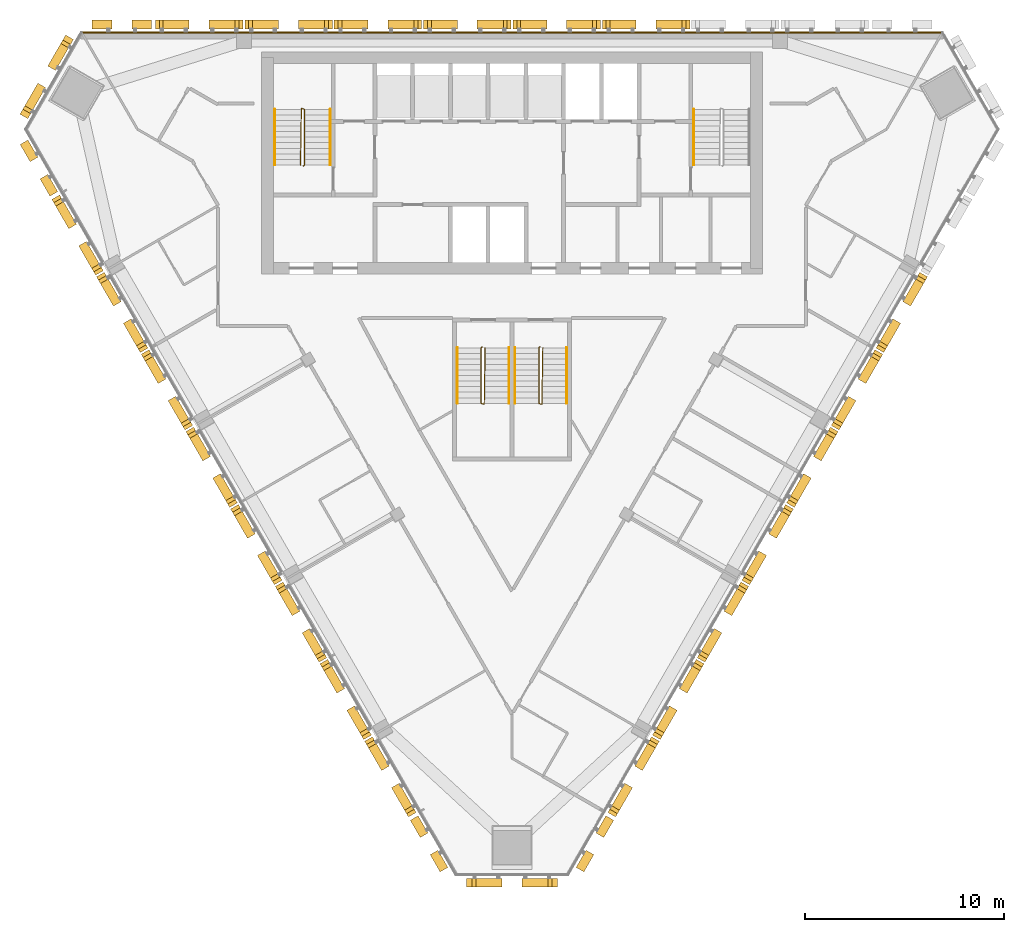
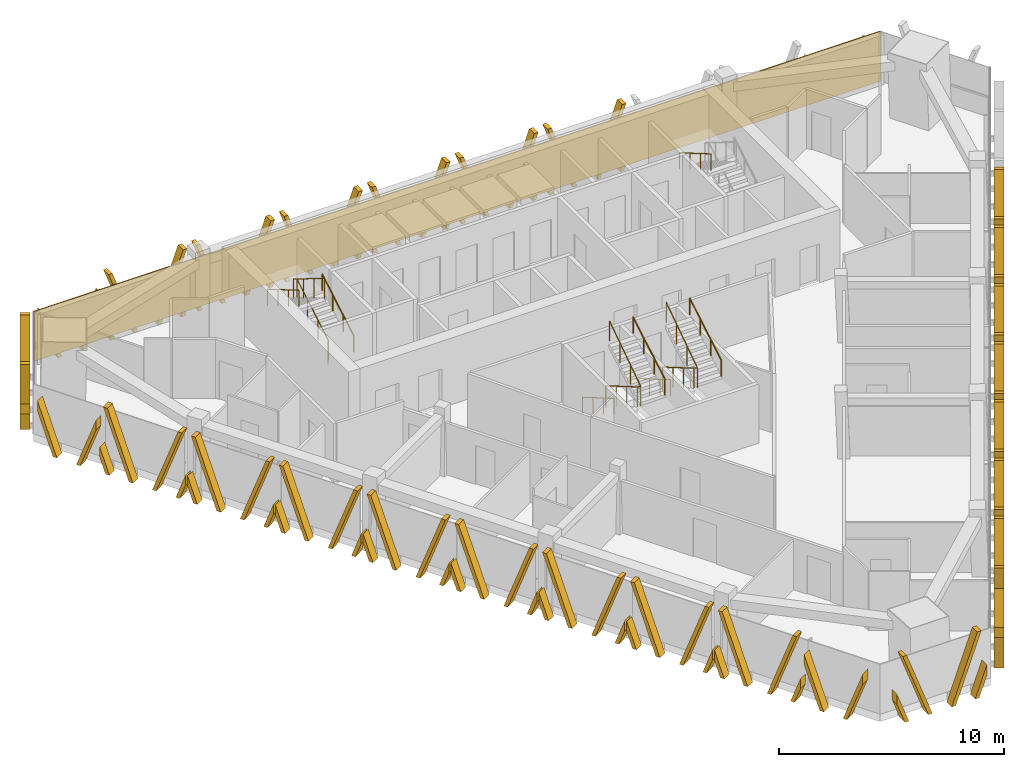
# One storey, part 12 of 14: 27 shading devices, 10 railings, 1 covering.
"""IFC4 building model written with IfcOpenShell, lengths in metres."""

from ifc_helpers import new_model, si_unit, direction, frame, frame_2d, origin, origin_2d, place, context, subcontext, project, spatial, polyline, rectangle, circle, outline, extrude, source, transform, mapped, material, layer, layer_set, type_object, element, save


model = new_model("IFC4")

# Units and contexts
model_context = context("Model", 3, precision=1e-05, world=origin(), true_north=direction((0.0, 1.0)))
body_context = subcontext(model_context, "Body", "Model", "MODEL_VIEW")
ifc_project = project(units=[si_unit("LENGTHUNIT", "METRE"), si_unit("AREAUNIT", "SQUARE_METRE"), si_unit("VOLUMEUNIT", "CUBIC_METRE"), si_unit("PLANEANGLEUNIT", "RADIAN"), si_unit("MASSUNIT", "GRAM", prefix="KILO")], contexts=[model_context])

# Site, building, storey
site_placement = place(None, origin())
site = spatial("IfcSite", under=ifc_project, at=site_placement, CompositionType="ELEMENT")
building_placement = place(site_placement, origin())
building = spatial("IfcBuilding", under=site, at=building_placement, Name="Altiplano Prism Tower", CompositionType="ELEMENT")
storey_placement = place(building_placement, frame((0.0, 0.0, 230.199951171875)))
storey = spatial("IfcBuildingStorey", under=building, at=storey_placement, Name="L59", CompositionType="ELEMENT", Elevation=230.199951171875)

# Railings
ifc_material_1 = material(Name="Steel S355", Category="steel")
railing_type_1 = type_object("IfcRailingType", Name="Stair guard 1100", PredefinedType="GUARDRAIL", material=ifc_material_1)
railing_1_placement = place(storey_placement, frame((74.5, 98.25, 0.0)))
element("IfcRailing", 1, at=railing_1_placement, inside=storey, type_object=railing_type_1, Name="L59 ST1 stair guard 1", PredefinedType="GUARDRAIL", context=body_context, shape_type="SweptSolid", body=[
    extrude(circle(Radius=0.02392578125, at=origin_2d()), frame((0.0, 0.0, 1.076171875), z_axis=(0.280808744504, 0.280808744504, 0.917765164963), x_axis=(-0.707106781187, 0.707106781187, 0.0)), (0.0, 0.0, 1.0), 0.17822265625),
    extrude(circle(Radius=0.02392578125, at=origin_2d()), frame((0.050048828125, 0.050048828125, 1.23974609375), z_axis=(0.0, 0.863360870873, 0.504586966384), x_axis=(-1.0, 0.0, 0.0)), (0.0, 0.0, 1.0), 3.2431640625),
    extrude(circle(Radius=0.02392578125, at=origin_2d()), frame((0.050048828125, 2.85009765625, 2.8759765625), z_axis=(-0.949145278916, 0.314838433982, 0.0), x_axis=(-0.314838433982, -0.949145278916, 0.0)), (0.0, 0.0, 1.0), 0.158203125),
    extrude(circle(Radius=0.02392578125, at=origin_2d()), frame((-0.10009765625, 2.89990234375, 2.8759765625), z_axis=(-0.01477401265, -0.845377694409, 0.533964682676), x_axis=(0.999847325713, -0.01747355902, 0.0)), (0.0, 0.0, 1.0), 3.37109375),
    extrude(circle(Radius=0.02099609375, at=origin_2d()), origin(), (0.0, 0.0, 1.0), 1.052001953125),
    extrude(circle(Radius=0.02099609375, at=origin_2d()), frame((0.050048828125, 0.050048828125, 0.16357421875)), (0.0, 0.0, 1.0), 1.052001953125),
    extrude(circle(Radius=0.02099609375, at=origin_2d()), frame((0.050048828125, 0.9833984375, 0.708984375)), (0.0, 0.0, 1.0), 1.052001953125),
    extrude(circle(Radius=0.02099609375, at=origin_2d()), frame((0.050048828125, 1.916748046875, 1.254638671875)), (0.0, 0.0, 1.0), 1.052001953125),
    extrude(circle(Radius=0.02099609375, at=origin_2d()), frame((0.050048828125, 2.85009765625, 1.800048828125)), (0.0, 0.0, 1.0), 1.052001953125),
    extrude(circle(Radius=0.02099609375, at=origin_2d()), frame((-0.10009765625, 2.89990234375, 1.800048828125)), (0.0, 0.0, 1.0), 1.052001953125),
    extrude(circle(Radius=0.02099609375, at=origin_2d()), frame((-0.11669921875, 1.949951171875, 2.400146484375)), (0.0, 0.0, 1.0), 1.052001953125),
    extrude(circle(Radius=0.02099609375, at=origin_2d()), frame((-0.13330078125, 1.0, 3.0)), (0.0, 0.0, 1.0), 1.052001953125),
    extrude(circle(Radius=0.02099609375, at=origin_2d()), frame((-0.14990234375, 0.050048828125, 3.60009765625)), (0.0, 0.0, 1.0), 1.052001953125),
])
railing_2_placement = place(storey_placement, frame((83.5, 89.14990234375, 0.0)))
element("IfcRailing", 2, at=railing_2_placement, inside=storey, type_object=railing_type_1, Name="L59 ST3A stair guard 1", PredefinedType="GUARDRAIL", context=body_context, shape_type="SweptSolid", body=[
    extrude(circle(Radius=0.02392578125, at=origin_2d()), frame((0.0, 0.0, 1.076171875), z_axis=(-0.280916556609, -0.279546231943, 0.91811752648), x_axis=(0.705375805398, -0.708833529934, 0.0)), (0.0, 0.0, 1.0), 0.17822265625),
    extrude(circle(Radius=0.02392578125, at=origin_2d()), frame((-0.050048828125, -0.0498046875, 1.23974609375), z_axis=(0.0, -0.863360870873, 0.504586966384), x_axis=(1.0, 0.0, 0.0)), (0.0, 0.0, 1.0), 3.2431640625),
    extrude(circle(Radius=0.02392578125, at=origin_2d()), frame((-0.050048828125, -2.849853515625, 2.8759765625), z_axis=(0.948683298051, -0.316227766017, 0.0), x_axis=(0.316227766017, 0.948683298051, 0.0)), (0.0, 0.0, 1.0), 0.158203125),
    extrude(circle(Radius=0.02392578125, at=origin_2d()), frame((0.10009765625, -2.89990234375, 2.8759765625), z_axis=(0.014773108175, 0.84539835705, 0.533931993021), x_axis=(-0.999847351862, 0.017472062685, 0.0)), (0.0, 0.0, 1.0), 3.371337890625),
    extrude(circle(Radius=0.02099609375, at=origin_2d()), origin(), (0.0, 0.0, 1.0), 1.052001953125),
    extrude(circle(Radius=0.02099609375, at=origin_2d()), frame((-0.050048828125, -0.0498046875, 0.16357421875)), (0.0, 0.0, 1.0), 1.052001953125),
    extrude(circle(Radius=0.02099609375, at=origin_2d()), frame((-0.050048828125, -0.983154296875, 0.708984375)), (0.0, 0.0, 1.0), 1.052001953125),
    extrude(circle(Radius=0.02099609375, at=origin_2d()), frame((-0.050048828125, -1.91650390625, 1.254638671875)), (0.0, 0.0, 1.0), 1.052001953125),
    extrude(circle(Radius=0.02099609375, at=origin_2d()), frame((-0.050048828125, -2.849853515625, 1.800048828125)), (0.0, 0.0, 1.0), 1.052001953125),
    extrude(circle(Radius=0.02099609375, at=origin_2d()), frame((0.10009765625, -2.89990234375, 1.800048828125)), (0.0, 0.0, 1.0), 1.052001953125),
    extrude(circle(Radius=0.02099609375, at=origin_2d()), frame((0.11669921875, -1.949951171875, 2.400146484375)), (0.0, 0.0, 1.0), 1.052001953125),
    extrude(circle(Radius=0.02099609375, at=origin_2d()), frame((0.13330078125, -0.999755859375, 3.0)), (0.0, 0.0, 1.0), 1.052001953125),
    extrude(circle(Radius=0.02099609375, at=origin_2d()), frame((0.14990234375, -0.0498046875, 3.60009765625)), (0.0, 0.0, 1.0), 1.052001953125),
])
railing_3_placement = place(storey_placement, frame((86.39990234375, 89.14990234375, 0.0)))
element("IfcRailing", 3, at=railing_3_placement, inside=storey, type_object=railing_type_1, Name="L59 ST3B stair guard 1", PredefinedType="GUARDRAIL", context=body_context, shape_type="SweptSolid", body=[
    extrude(circle(Radius=0.02392578125, at=origin_2d()), frame((0.0, 0.0, 1.076171875), z_axis=(-0.279653641804, -0.279653641804, 0.918470294159), x_axis=(0.707106781187, -0.707106781187, 0.0)), (0.0, 0.0, 1.0), 0.177978515625),
    extrude(circle(Radius=0.02392578125, at=origin_2d()), frame((-0.0498046875, -0.0498046875, 1.23974609375), z_axis=(0.0, -0.863360870873, 0.504586966384), x_axis=(1.0, 0.0, 0.0)), (0.0, 0.0, 1.0), 3.2431640625),
    extrude(circle(Radius=0.02392578125, at=origin_2d()), frame((-0.0498046875, -2.849853515625, 2.8759765625), z_axis=(0.948528701346, -0.316691178788, 0.0), x_axis=(0.316691178788, 0.948528701346, 0.0)), (0.0, 0.0, 1.0), 0.157958984375),
    extrude(circle(Radius=0.02392578125, at=origin_2d()), frame((0.10009765625, -2.89990234375, 2.8759765625), z_axis=(0.014845509451, 0.845397450405, 0.533931420407), x_axis=(-0.999845851991, 0.017557683712, 0.0)), (0.0, 0.0, 1.0), 3.371337890625),
    extrude(circle(Radius=0.02099609375, at=origin_2d()), origin(), (0.0, 0.0, 1.0), 1.052001953125),
    extrude(circle(Radius=0.02099609375, at=origin_2d()), frame((-0.0498046875, -0.0498046875, 0.16357421875)), (0.0, 0.0, 1.0), 1.052001953125),
    extrude(circle(Radius=0.02099609375, at=origin_2d()), frame((-0.0498046875, -0.983154296875, 0.708984375)), (0.0, 0.0, 1.0), 1.052001953125),
    extrude(circle(Radius=0.02099609375, at=origin_2d()), frame((-0.0498046875, -1.91650390625, 1.254638671875)), (0.0, 0.0, 1.0), 1.052001953125),
    extrude(circle(Radius=0.02099609375, at=origin_2d()), frame((-0.0498046875, -2.849853515625, 1.800048828125)), (0.0, 0.0, 1.0), 1.052001953125),
    extrude(circle(Radius=0.02099609375, at=origin_2d()), frame((0.10009765625, -2.89990234375, 1.800048828125)), (0.0, 0.0, 1.0), 1.052001953125),
    extrude(circle(Radius=0.02099609375, at=origin_2d()), frame((0.11669921875, -1.949951171875, 2.400146484375)), (0.0, 0.0, 1.0), 1.052001953125),
    extrude(circle(Radius=0.02099609375, at=origin_2d()), frame((0.133544921875, -0.999755859375, 3.0)), (0.0, 0.0, 1.0), 1.052001953125),
    extrude(circle(Radius=0.02099609375, at=origin_2d()), frame((0.150146484375, -0.0498046875, 3.60009765625)), (0.0, 0.0, 1.0), 1.052001953125),
])
railing_type_2 = type_object("IfcRailingType", Name="Stair handrail 900", PredefinedType="HANDRAIL", material=ifc_material_1)
railing_4_placement = place(storey_placement, frame((75.85009765625, 98.300048828125, 0.16357421875)))
element("IfcRailing", 4, at=railing_4_placement, inside=storey, type_object=railing_type_2, Name="L59 ST1 stair handrail 1", PredefinedType="HANDRAIL", context=body_context, shape_type="SweptSolid", body=[
    extrude(circle(Radius=0.02392578125, at=origin_2d()), frame((0.0, 0.0, 0.8759765625), z_axis=(0.0, 0.863360870873, 0.504586966384), x_axis=(-1.0, 0.0, 0.0)), (0.0, 0.0, 1.0), 3.2431640625),
    extrude(circle(Radius=0.02099609375, at=origin_2d()), origin(), (0.0, 0.0, 1.0), 0.851806640625),
    extrude(circle(Radius=0.02099609375, at=origin_2d()), frame((0.0, 0.933349609375, 0.54541015625)), (0.0, 0.0, 1.0), 0.851806640625),
    extrude(circle(Radius=0.02099609375, at=origin_2d()), frame((0.0, 1.86669921875, 1.091064453125)), (0.0, 0.0, 1.0), 0.851806640625),
    extrude(circle(Radius=0.02099609375, at=origin_2d()), frame((0.0, 2.800048828125, 1.636474609375)), (0.0, 0.0, 1.0), 0.851806640625),
])
for number, where, name in (
    (5, (73.050048828125, 101.10009765625, 1.963623046875), "L59 ST1 stair handrail 2"),
    (6, (94.14990234375, 101.10009765625, 1.963623046875), "L59 ST2 stair handrail 2"),
    (7, (82.25, 89.10009765625, 0.16357421875), "L59 ST3A stair handrail 1"),
):
    element("IfcRailing", number, at=place(storey_placement, frame(where)), inside=storey, type_object=railing_type_2, Name=name, PredefinedType="HANDRAIL", context=body_context, shape_type="SweptSolid", body=[
        extrude(circle(Radius=0.02392578125, at=origin_2d()), frame((0.0, 0.0, 0.8759765625), z_axis=(0.0, -0.863360870873, 0.504586966384), x_axis=(1.0, 0.0, 0.0)), (0.0, 0.0, 1.0), 3.2431640625),
        extrude(circle(Radius=0.02099609375, at=origin_2d()), origin(), (0.0, 0.0, 1.0), 0.851806640625),
        extrude(circle(Radius=0.02099609375, at=origin_2d()), frame((0.0, -0.933349609375, 0.54541015625)), (0.0, 0.0, 1.0), 0.851806640625),
        extrude(circle(Radius=0.02099609375, at=origin_2d()), frame((0.0, -1.86669921875, 1.091064453125)), (0.0, 0.0, 1.0), 0.851806640625),
        extrude(circle(Radius=0.02099609375, at=origin_2d()), frame((0.0, -2.800048828125, 1.636474609375)), (0.0, 0.0, 1.0), 0.851806640625),
    ])
railing_5_placement = place(storey_placement, frame((84.85009765625, 86.300048828125, 1.963623046875)))
element("IfcRailing", 8, at=railing_5_placement, inside=storey, type_object=railing_type_2, Name="L59 ST3A stair handrail 2", PredefinedType="HANDRAIL", context=body_context, shape_type="SweptSolid", body=[
    extrude(circle(Radius=0.02392578125, at=origin_2d()), frame((0.0, 0.0, 0.8759765625), z_axis=(0.0, 0.863360870873, 0.504586966384), x_axis=(-1.0, 0.0, 0.0)), (0.0, 0.0, 1.0), 3.2431640625),
    extrude(circle(Radius=0.02099609375, at=origin_2d()), origin(), (0.0, 0.0, 1.0), 0.851806640625),
    extrude(circle(Radius=0.02099609375, at=origin_2d()), frame((0.0, 0.933349609375, 0.54541015625)), (0.0, 0.0, 1.0), 0.851806640625),
    extrude(circle(Radius=0.02099609375, at=origin_2d()), frame((0.0, 1.86669921875, 1.091064453125)), (0.0, 0.0, 1.0), 0.851806640625),
    extrude(circle(Radius=0.02099609375, at=origin_2d()), frame((0.0, 2.800048828125, 1.636474609375)), (0.0, 0.0, 1.0), 0.851806640625),
])
railing_6_placement = place(storey_placement, frame((85.14990234375, 89.10009765625, 0.16357421875)))
element("IfcRailing", 9, at=railing_6_placement, inside=storey, type_object=railing_type_2, Name="L59 ST3B stair handrail 1", PredefinedType="HANDRAIL", context=body_context, shape_type="SweptSolid", body=[
    extrude(circle(Radius=0.02392578125, at=origin_2d()), frame((0.0, 0.0, 0.8759765625), z_axis=(0.0, -0.863360870873, 0.504586966384), x_axis=(1.0, 0.0, 0.0)), (0.0, 0.0, 1.0), 3.2431640625),
    extrude(circle(Radius=0.02099609375, at=origin_2d()), origin(), (0.0, 0.0, 1.0), 0.851806640625),
    extrude(circle(Radius=0.02099609375, at=origin_2d()), frame((0.0, -0.933349609375, 0.54541015625)), (0.0, 0.0, 1.0), 0.851806640625),
    extrude(circle(Radius=0.02099609375, at=origin_2d()), frame((0.0, -1.86669921875, 1.091064453125)), (0.0, 0.0, 1.0), 0.851806640625),
    extrude(circle(Radius=0.02099609375, at=origin_2d()), frame((0.0, -2.800048828125, 1.636474609375)), (0.0, 0.0, 1.0), 0.851806640625),
])
railing_7_placement = place(storey_placement, frame((87.75, 86.300048828125, 1.963623046875)))
element("IfcRailing", 10, at=railing_7_placement, inside=storey, type_object=railing_type_2, Name="L59 ST3B stair handrail 2", PredefinedType="HANDRAIL", context=body_context, shape_type="SweptSolid", body=[
    extrude(circle(Radius=0.02392578125, at=origin_2d()), frame((0.0, 0.0, 0.8759765625), z_axis=(0.0, 0.863360870873, 0.504586966384), x_axis=(-1.0, 0.0, 0.0)), (0.0, 0.0, 1.0), 3.2431640625),
    extrude(circle(Radius=0.02099609375, at=origin_2d()), origin(), (0.0, 0.0, 1.0), 0.851806640625),
    extrude(circle(Radius=0.02099609375, at=origin_2d()), frame((0.0, 0.933349609375, 0.54541015625)), (0.0, 0.0, 1.0), 0.851806640625),
    extrude(circle(Radius=0.02099609375, at=origin_2d()), frame((0.0, 1.86669921875, 1.091064453125)), (0.0, 0.0, 1.0), 0.851806640625),
    extrude(circle(Radius=0.02099609375, at=origin_2d()), frame((0.0, 2.800048828125, 1.636474609375)), (0.0, 0.0, 1.0), 0.851806640625),
])

# Covering
ifc_material_2 = material(Name="Warm limestone cast stone", Category="masonry")
ifc_layer = layer(ifc_material_2, 0.06005859375)
ifc_layer_set = layer_set([ifc_layer], Name="Warm limestone cast stone")
covering_type = type_object("IfcCoveringType", Name="Stone cladding 60", PredefinedType="CLADDING", material=ifc_layer_set)
covering_placement = place(storey_placement, frame((63.312255859375, 104.969970703125, 0.0), z_axis=(0.0, 0.0, 1.0), x_axis=(1.0, 0.0, 0.0)))
element("IfcCovering", 11, at=covering_placement, inside=storey, type_object=covering_type, Name="Stone cladding north face L59", PredefinedType="CLADDING", context=body_context, shape_type="SweptSolid", body=[
    extrude(rectangle(XDim=43.37548828125, YDim=0.06005859375, at=frame_2d((21.687744140625, 0.0))), origin(), (0.0, 0.0, 1.0), 2.699951171875),
])

# Shading devices
shading_device_type_1 = type_object("IfcShadingDeviceType", Name="Stone fin panel, standard unit", PredefinedType="USERDEFINED", material=ifc_material_2)
shared_shape_1 = source(origin(), body_context, "Body", "SweptSolid", [
    extrude(outline(polyline([(-2.199951171875, 1.373779296875), (-2.199951171875, 0.82421875), (-1.89990234375, 0.0), (-1.699951171875, 0.0), (-2.199951171875, 1.373779296875)])), frame((0.0, -0.14990234375, 0.0), z_axis=(0.0, -1.0, 0.0), x_axis=(1.0, 0.0, 0.0)), (0.0, 0.0, 1.0), 0.4501953125),
    extrude(outline(polyline([(-2.01025390625, 3.60009765625), (-0.699951171875, 0.0), (-0.5, 0.0), (-1.810302734375, 3.60009765625), (-2.01025390625, 3.60009765625)])), frame((0.0, -0.14990234375, 0.0), z_axis=(0.0, -1.0, 0.0), x_axis=(1.0, 0.0, 0.0)), (0.0, 0.0, 1.0), 0.4501953125),
    extrude(outline(polyline([(1.810302734375, 3.60009765625), (0.5, 0.0), (0.699951171875, 0.0), (2.01025390625, 3.60009765625), (1.810302734375, 3.60009765625)])), frame((0.0, -0.14990234375, 0.0), z_axis=(0.0, -1.0, 0.0), x_axis=(1.0, 0.0, 0.0)), (0.0, 0.0, 1.0), 0.4501953125),
    extrude(outline(polyline([(2.199951171875, 0.82421875), (2.199951171875, 1.373779296875), (1.699951171875, 0.0), (1.89990234375, 0.0), (2.199951171875, 0.82421875)])), frame((0.0, -0.14990234375, 0.0), z_axis=(0.0, -1.0, 0.0), x_axis=(1.0, 0.0, 0.0)), (0.0, 0.0, 1.0), 0.4501953125),
])
shading_device_1_placement = place(storey_placement, origin())
element("IfcShadingDevice", 12, at=shading_device_1_placement, inside=storey, type_object=shading_device_type_1, Name="Fin L59 north face 4", ObjectType="FIN", PredefinedType="USERDEFINED", context=body_context, shape_type="MappedRepresentation", body=[
    mapped(shared_shape_1, transform((91.75, 105.0, -0.39990234375), x_axis=(-1.0, 0.0, 0.0), y_axis=(0.0, -1.0, 0.0), z_axis=(0.0, 0.0, 1.0))),
])
shading_device_2_placement = place(storey_placement, origin())
element("IfcShadingDevice", 13, at=shading_device_2_placement, inside=storey, type_object=shading_device_type_1, Name="Fin L59 north face 5", ObjectType="FIN", PredefinedType="USERDEFINED", context=body_context, shape_type="MappedRepresentation", body=[
    mapped(shared_shape_1, transform((87.25, 105.0, -0.39990234375), x_axis=(-1.0, 0.0, 0.0), y_axis=(0.0, -1.0, 0.0), z_axis=(0.0, 0.0, 1.0))),
])
shading_device_3_placement = place(storey_placement, origin())
element("IfcShadingDevice", 14, at=shading_device_3_placement, inside=storey, type_object=shading_device_type_1, Name="Fin L59 north face 6", ObjectType="FIN", PredefinedType="USERDEFINED", context=body_context, shape_type="MappedRepresentation", body=[
    mapped(shared_shape_1, transform((82.75, 105.0, -0.39990234375), x_axis=(-1.0, 0.0, 0.0), y_axis=(0.0, -1.0, 0.0), z_axis=(0.0, 0.0, 1.0))),
])
shading_device_4_placement = place(storey_placement, origin())
element("IfcShadingDevice", 15, at=shading_device_4_placement, inside=storey, type_object=shading_device_type_1, Name="Fin L59 north face 7", ObjectType="FIN", PredefinedType="USERDEFINED", context=body_context, shape_type="MappedRepresentation", body=[
    mapped(shared_shape_1, transform((78.25, 105.0, -0.39990234375), x_axis=(-1.0, 0.0, 0.0), y_axis=(0.0, -1.0, 0.0), z_axis=(0.0, 0.0, 1.0))),
])
shading_device_5_placement = place(storey_placement, origin())
element("IfcShadingDevice", 16, at=shading_device_5_placement, inside=storey, type_object=shading_device_type_1, Name="Fin L59 north face 8", ObjectType="FIN", PredefinedType="USERDEFINED", context=body_context, shape_type="MappedRepresentation", body=[
    mapped(shared_shape_1, transform((73.75, 105.0, -0.39990234375), x_axis=(-1.0, 0.0, 0.0), y_axis=(0.0, -1.0, 0.0), z_axis=(0.0, 0.0, 1.0))),
])
shading_device_6_placement = place(storey_placement, origin())
element("IfcShadingDevice", 17, at=shading_device_6_placement, inside=storey, type_object=shading_device_type_1, Name="Fin L59 north face 9", ObjectType="FIN", PredefinedType="USERDEFINED", context=body_context, shape_type="MappedRepresentation", body=[
    mapped(shared_shape_1, transform((69.25, 105.0, -0.39990234375), x_axis=(-1.0, 0.0, 0.0), y_axis=(0.0, -1.0, 0.0), z_axis=(0.0, 0.0, 1.0))),
])
shading_device_7_placement = place(storey_placement, origin())
element("IfcShadingDevice", 18, at=shading_device_7_placement, inside=storey, type_object=shading_device_type_1, Name="Fin L59 south-west face 2", ObjectType="FIN", PredefinedType="USERDEFINED", context=body_context, shape_type="MappedRepresentation", body=[
    mapped(shared_shape_1, transform((63.453369140625, 94.9599609375, -0.39990234375), x_axis=(0.500000005706, -0.86602540049, 0.0), y_axis=(0.86602540049, 0.500000005706, 0.0), z_axis=(0.0, 0.0, 1.0))),
])
shading_device_8_placement = place(storey_placement, origin())
element("IfcShadingDevice", 19, at=shading_device_8_placement, inside=storey, type_object=shading_device_type_1, Name="Fin L59 south-west face 3", ObjectType="FIN", PredefinedType="USERDEFINED", context=body_context, shape_type="MappedRepresentation", body=[
    mapped(shared_shape_1, transform((65.703369140625, 91.06298828125, -0.39990234375), x_axis=(0.500000005706, -0.86602540049, 0.0), y_axis=(0.86602540049, 0.500000005706, 0.0), z_axis=(0.0, 0.0, 1.0))),
])
shading_device_9_placement = place(storey_placement, origin())
element("IfcShadingDevice", 20, at=shading_device_9_placement, inside=storey, type_object=shading_device_type_1, Name="Fin L59 south-west face 4", ObjectType="FIN", PredefinedType="USERDEFINED", context=body_context, shape_type="MappedRepresentation", body=[
    mapped(shared_shape_1, transform((67.953369140625, 87.165771484375, -0.39990234375), x_axis=(0.500000005706, -0.86602540049, 0.0), y_axis=(0.86602540049, 0.500000005706, 0.0), z_axis=(0.0, 0.0, 1.0))),
])
shading_device_10_placement = place(storey_placement, origin())
element("IfcShadingDevice", 21, at=shading_device_10_placement, inside=storey, type_object=shading_device_type_1, Name="Fin L59 south-west face 5", ObjectType="FIN", PredefinedType="USERDEFINED", context=body_context, shape_type="MappedRepresentation", body=[
    mapped(shared_shape_1, transform((70.203369140625, 83.268798828125, -0.39990234375), x_axis=(0.500000005706, -0.86602540049, 0.0), y_axis=(0.86602540049, 0.500000005706, 0.0), z_axis=(0.0, 0.0, 1.0))),
])
shading_device_11_placement = place(storey_placement, origin())
element("IfcShadingDevice", 22, at=shading_device_11_placement, inside=storey, type_object=shading_device_type_1, Name="Fin L59 south-west face 6", ObjectType="FIN", PredefinedType="USERDEFINED", context=body_context, shape_type="MappedRepresentation", body=[
    mapped(shared_shape_1, transform((72.453369140625, 79.37158203125, -0.39990234375), x_axis=(0.500000005706, -0.86602540049, 0.0), y_axis=(0.86602540049, 0.500000005706, 0.0), z_axis=(0.0, 0.0, 1.0))),
])
shading_device_12_placement = place(storey_placement, origin())
element("IfcShadingDevice", 23, at=shading_device_12_placement, inside=storey, type_object=shading_device_type_1, Name="Fin L59 south-west face 7", ObjectType="FIN", PredefinedType="USERDEFINED", context=body_context, shape_type="MappedRepresentation", body=[
    mapped(shared_shape_1, transform((74.703369140625, 75.474365234375, -0.39990234375), x_axis=(0.500000005706, -0.86602540049, 0.0), y_axis=(0.86602540049, 0.500000005706, 0.0), z_axis=(0.0, 0.0, 1.0))),
])
shading_device_13_placement = place(storey_placement, origin())
element("IfcShadingDevice", 24, at=shading_device_13_placement, inside=storey, type_object=shading_device_type_1, Name="Fin L59 south-west face 8", ObjectType="FIN", PredefinedType="USERDEFINED", context=body_context, shape_type="MappedRepresentation", body=[
    mapped(shared_shape_1, transform((76.953369140625, 71.577392578125, -0.39990234375), x_axis=(0.500000005706, -0.86602540049, 0.0), y_axis=(0.86602540049, 0.500000005706, 0.0), z_axis=(0.0, 0.0, 1.0))),
])
shading_device_14_placement = place(storey_placement, origin())
element("IfcShadingDevice", 25, at=shading_device_14_placement, inside=storey, type_object=shading_device_type_1, Name="Fin L59 south-west face 9", ObjectType="FIN", PredefinedType="USERDEFINED", context=body_context, shape_type="MappedRepresentation", body=[
    mapped(shared_shape_1, transform((79.203369140625, 67.68017578125, -0.39990234375), x_axis=(0.500000005706, -0.86602540049, 0.0), y_axis=(0.86602540049, 0.500000005706, 0.0), z_axis=(0.0, 0.0, 1.0))),
])
shading_device_15_placement = place(storey_placement, origin())
element("IfcShadingDevice", 26, at=shading_device_15_placement, inside=storey, type_object=shading_device_type_1, Name="Fin L59 south-east face 2", ObjectType="FIN", PredefinedType="USERDEFINED", context=body_context, shape_type="MappedRepresentation", body=[
    mapped(shared_shape_1, transform((90.796630859375, 67.68017578125, -0.39990234375), x_axis=(0.500000005706, 0.86602540049, 0.0), y_axis=(-0.86602540049, 0.500000005706, 0.0), z_axis=(0.0, 0.0, 1.0))),
])
shading_device_16_placement = place(storey_placement, origin())
element("IfcShadingDevice", 27, at=shading_device_16_placement, inside=storey, type_object=shading_device_type_1, Name="Fin L59 south-east face 3", ObjectType="FIN", PredefinedType="USERDEFINED", context=body_context, shape_type="MappedRepresentation", body=[
    mapped(shared_shape_1, transform((93.046630859375, 71.577392578125, -0.39990234375), x_axis=(0.500000005706, 0.86602540049, 0.0), y_axis=(-0.86602540049, 0.500000005706, 0.0), z_axis=(0.0, 0.0, 1.0))),
])
shading_device_17_placement = place(storey_placement, origin())
element("IfcShadingDevice", 28, at=shading_device_17_placement, inside=storey, type_object=shading_device_type_1, Name="Fin L59 south-east face 4", ObjectType="FIN", PredefinedType="USERDEFINED", context=body_context, shape_type="MappedRepresentation", body=[
    mapped(shared_shape_1, transform((95.296630859375, 75.474365234375, -0.39990234375), x_axis=(0.500000005706, 0.86602540049, 0.0), y_axis=(-0.86602540049, 0.500000005706, 0.0), z_axis=(0.0, 0.0, 1.0))),
])
shading_device_18_placement = place(storey_placement, origin())
element("IfcShadingDevice", 29, at=shading_device_18_placement, inside=storey, type_object=shading_device_type_1, Name="Fin L59 south-east face 5", ObjectType="FIN", PredefinedType="USERDEFINED", context=body_context, shape_type="MappedRepresentation", body=[
    mapped(shared_shape_1, transform((97.546630859375, 79.37158203125, -0.39990234375), x_axis=(0.500000005706, 0.86602540049, 0.0), y_axis=(-0.86602540049, 0.500000005706, 0.0), z_axis=(0.0, 0.0, 1.0))),
])
shading_device_19_placement = place(storey_placement, origin())
element("IfcShadingDevice", 30, at=shading_device_19_placement, inside=storey, type_object=shading_device_type_1, Name="Fin L59 south-east face 6", ObjectType="FIN", PredefinedType="USERDEFINED", context=body_context, shape_type="MappedRepresentation", body=[
    mapped(shared_shape_1, transform((99.796630859375, 83.268798828125, -0.39990234375), x_axis=(0.500000005706, 0.86602540049, 0.0), y_axis=(-0.86602540049, 0.500000005706, 0.0), z_axis=(0.0, 0.0, 1.0))),
])
shading_device_20_placement = place(storey_placement, origin())
element("IfcShadingDevice", 31, at=shading_device_20_placement, inside=storey, type_object=shading_device_type_1, Name="Fin L59 south-east face 7", ObjectType="FIN", PredefinedType="USERDEFINED", context=body_context, shape_type="MappedRepresentation", body=[
    mapped(shared_shape_1, transform((102.046630859375, 87.165771484375, -0.39990234375), x_axis=(0.500000005706, 0.86602540049, 0.0), y_axis=(-0.86602540049, 0.500000005706, 0.0), z_axis=(0.0, 0.0, 1.0))),
])
shading_device_21_placement = place(storey_placement, origin())
element("IfcShadingDevice", 32, at=shading_device_21_placement, inside=storey, type_object=shading_device_type_1, Name="Fin L59 south-east face 8", ObjectType="FIN", PredefinedType="USERDEFINED", context=body_context, shape_type="MappedRepresentation", body=[
    mapped(shared_shape_1, transform((104.296630859375, 91.06298828125, -0.39990234375), x_axis=(0.500000005706, 0.86602540049, 0.0), y_axis=(-0.86602540049, 0.500000005706, 0.0), z_axis=(0.0, 0.0, 1.0))),
])
shading_device_type_2 = type_object("IfcShadingDeviceType", Name="Stone fin panel, narrow closing bay", PredefinedType="USERDEFINED", material=ifc_material_2)
shared_shape_2 = source(origin(), body_context, "Body", "SweptSolid", [
    extrude(outline(polyline([(-1.5, 2.74755859375), (-1.5, 2.197998046875), (-0.699951171875, 0.0), (-0.5, 0.0), (-1.5, 2.74755859375)])), frame((0.0, -0.14990234375, 0.0), z_axis=(0.0, -1.0, 0.0), x_axis=(1.0, 0.0, 0.0)), (0.0, 0.0, 1.0), 0.4501953125),
    extrude(outline(polyline([(1.5, 2.197998046875), (1.5, 2.74755859375), (0.5, 0.0), (0.699951171875, 0.0), (1.5, 2.197998046875)])), frame((0.0, -0.14990234375, 0.0), z_axis=(0.0, -1.0, 0.0), x_axis=(1.0, 0.0, 0.0)), (0.0, 0.0, 1.0), 0.4501953125),
])
shading_device_22_placement = place(storey_placement, origin())
element("IfcShadingDevice", 33, at=shading_device_22_placement, inside=storey, type_object=shading_device_type_2, Name="Fin L59 north face 10", ObjectType="FIN", PredefinedType="USERDEFINED", context=body_context, shape_type="MappedRepresentation", body=[
    mapped(shared_shape_2, transform((65.356201171875, 105.0, -0.39990234375), x_axis=(-1.0, 0.0, 0.0), y_axis=(0.0, -1.0, 0.0), z_axis=(0.0, 0.0, 1.0))),
])
shading_device_23_placement = place(storey_placement, origin())
element("IfcShadingDevice", 34, at=shading_device_23_placement, inside=storey, type_object=shading_device_type_2, Name="Fin L59 south-west face 1", ObjectType="FIN", PredefinedType="USERDEFINED", context=body_context, shape_type="MappedRepresentation", body=[
    mapped(shared_shape_2, transform((61.506591796875, 98.332275390625, -0.39990234375), x_axis=(0.500000005706, -0.86602540049, 0.0), y_axis=(0.86602540049, 0.500000005706, 0.0), z_axis=(0.0, 0.0, 1.0))),
])
shading_device_24_placement = place(storey_placement, origin())
element("IfcShadingDevice", 35, at=shading_device_24_placement, inside=storey, type_object=shading_device_type_2, Name="Fin L59 south-west face 10", ObjectType="FIN", PredefinedType="USERDEFINED", context=body_context, shape_type="MappedRepresentation", body=[
    mapped(shared_shape_2, transform((81.150390625, 64.30810546875, -0.39990234375), x_axis=(0.500000005706, -0.86602540049, 0.0), y_axis=(0.86602540049, 0.500000005706, 0.0), z_axis=(0.0, 0.0, 1.0))),
])
shading_device_25_placement = place(storey_placement, origin())
element("IfcShadingDevice", 36, at=shading_device_25_placement, inside=storey, type_object=shading_device_type_2, Name="Fin L59 south-east face 1", ObjectType="FIN", PredefinedType="USERDEFINED", context=body_context, shape_type="MappedRepresentation", body=[
    mapped(shared_shape_2, transform((88.849609375, 64.30810546875, -0.39990234375), x_axis=(0.500000005706, 0.86602540049, 0.0), y_axis=(-0.86602540049, 0.500000005706, 0.0), z_axis=(0.0, 0.0, 1.0))),
])
shading_device_type_3 = type_object("IfcShadingDeviceType", Name="Stone fin panel, chamfer unit", PredefinedType="USERDEFINED", material=ifc_material_2)
shared_shape_3 = source(origin(), body_context, "Body", "SweptSolid", [
    extrude(outline(polyline([(-2.300048828125, 1.6484375), (-2.300048828125, 1.09912109375), (-1.89990234375, 0.0), (-1.699951171875, 0.0), (-2.300048828125, 1.6484375)])), frame((0.0, -0.14990234375, 0.0), z_axis=(0.0, -1.0, 0.0), x_axis=(1.0, 0.0, 0.0)), (0.0, 0.0, 1.0), 0.4501953125),
    extrude(outline(polyline([(-2.01025390625, 3.60009765625), (-0.699951171875, 0.0), (-0.5, 0.0), (-1.810302734375, 3.60009765625), (-2.01025390625, 3.60009765625)])), frame((0.0, -0.14990234375, 0.0), z_axis=(0.0, -1.0, 0.0), x_axis=(1.0, 0.0, 0.0)), (0.0, 0.0, 1.0), 0.4501953125),
    extrude(outline(polyline([(1.810302734375, 3.60009765625), (0.5, 0.0), (0.699951171875, 0.0), (2.01025390625, 3.60009765625), (1.810302734375, 3.60009765625)])), frame((0.0, -0.14990234375, 0.0), z_axis=(0.0, -1.0, 0.0), x_axis=(1.0, 0.0, 0.0)), (0.0, 0.0, 1.0), 0.4501953125),
    extrude(outline(polyline([(2.300048828125, 1.09912109375), (2.300048828125, 1.6484375), (1.699951171875, 0.0), (1.89990234375, 0.0), (2.300048828125, 1.09912109375)])), frame((0.0, -0.14990234375, 0.0), z_axis=(0.0, -1.0, 0.0), x_axis=(1.0, 0.0, 0.0)), (0.0, 0.0, 1.0), 0.4501953125),
])
shading_device_26_placement = place(storey_placement, origin())
element("IfcShadingDevice", 37, at=shading_device_26_placement, inside=storey, type_object=shading_device_type_3, Name="Fin L59 north-west chamfer 1", ObjectType="FIN", PredefinedType="USERDEFINED", context=body_context, shape_type="MappedRepresentation", body=[
    mapped(shared_shape_3, transform((61.8984375, 102.551025390625, -0.39990234375), x_axis=(-0.499999996791, -0.866025405637, 0.0), y_axis=(0.866025405637, -0.499999996791, 0.0), z_axis=(0.0, 0.0, 1.0))),
])
shading_device_27_placement = place(storey_placement, origin())
element("IfcShadingDevice", 38, at=shading_device_27_placement, inside=storey, type_object=shading_device_type_3, Name="Fin L59 south chamfer 1", ObjectType="FIN", PredefinedType="USERDEFINED", context=body_context, shape_type="MappedRepresentation", body=[
    mapped(shared_shape_3, transform((85.0, 62.5380859375, -0.39990234375), x_axis=(1.0, 0.0, 0.0), y_axis=(0.0, 1.0, 0.0), z_axis=(0.0, 0.0, 1.0))),
])

save(model, "model.ifc")
